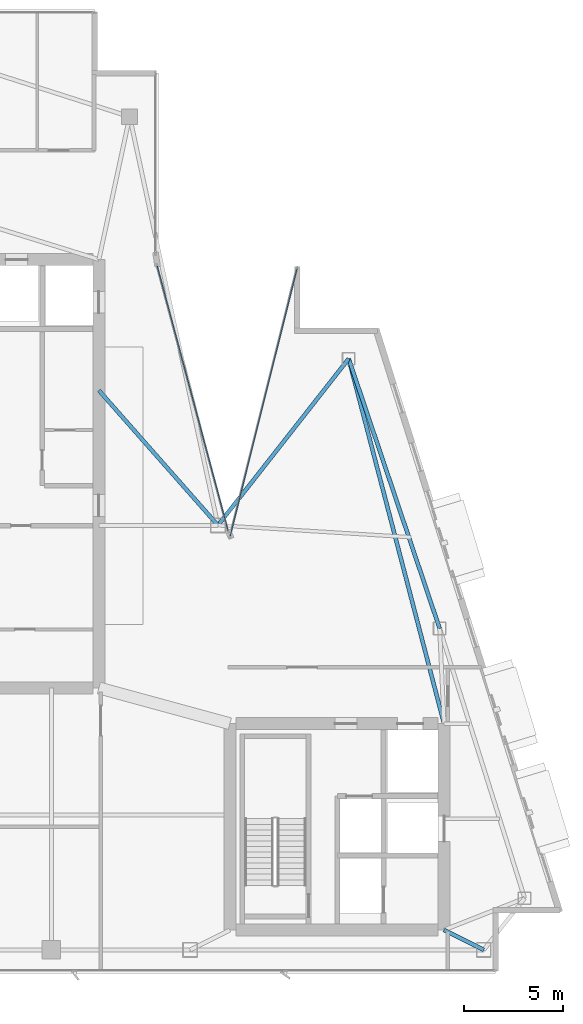
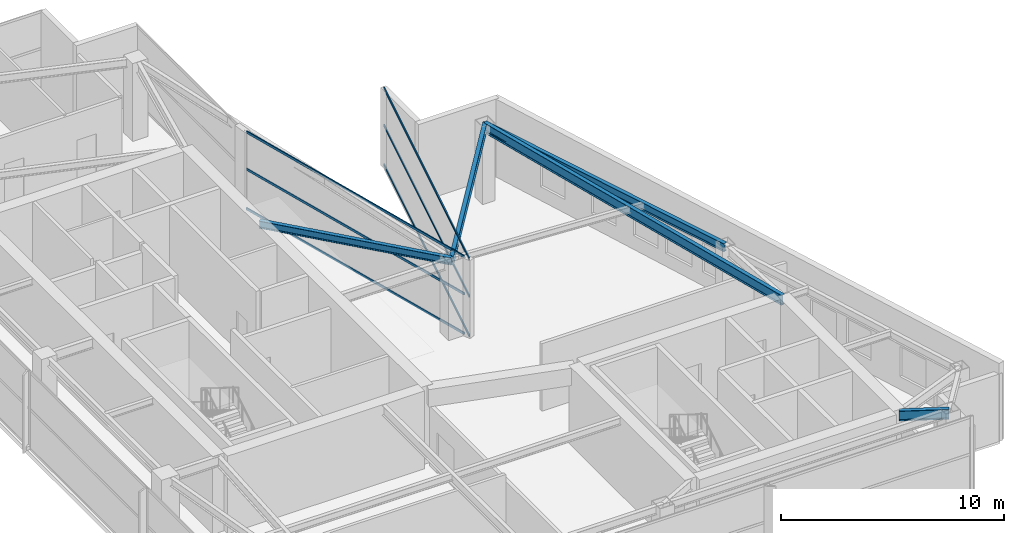
# One storey, part 11 of 25: 6 members, 5 beams, 2 elements without a shape of their own.
"""IFC4 building model written with IfcOpenShell, lengths in metres."""

from ifc_helpers import new_model, si_unit, direction, frame, origin, origin_2d, place, context, subcontext, project, spatial, hollow_rectangle, i_section, extrude, material, layer, layer_set, material_profile, profile_set, type_object, element, aggregate, save


model = new_model("IFC4")

# Units and contexts
model_context = context("Model", 3, precision=1e-05, world=origin(), true_north=direction((0.0, 1.0)))
body_context = subcontext(model_context, "Body", "Model", "MODEL_VIEW")
ifc_project = project(units=[si_unit("LENGTHUNIT", "METRE"), si_unit("AREAUNIT", "SQUARE_METRE"), si_unit("VOLUMEUNIT", "CUBIC_METRE"), si_unit("PLANEANGLEUNIT", "RADIAN"), si_unit("MASSUNIT", "GRAM", prefix="KILO")], contexts=[model_context])

# Site, building, storey
site_placement = place(None, origin())
site = spatial("IfcSite", under=ifc_project, at=site_placement, CompositionType="ELEMENT")
building_placement = place(site_placement, origin())
building = spatial("IfcBuilding", under=site, at=building_placement, Name="Calvorn Quay Hotel", CompositionType="ELEMENT")
storey_placement = place(building_placement, frame((0.0, 0.0, 311.5)))
storey = spatial("IfcBuildingStorey", under=building, at=storey_placement, Name="L77", CompositionType="ELEMENT", Elevation=311.5)

# Beams
ifc_material_1 = material(Name="Steel Q355B", Category="steel")
ifc_material_profile_1 = material_profile(ifc_material_1, i_section(OverallWidth=0.199951171875, OverallDepth=0.550048828125, WebThickness=0.010009765625, FlangeThickness=0.01611328125, FilletRadius=0.01806640625, at=origin_2d()), Name="HN550x200x10x16")
ifc_profile_set_1 = profile_set([ifc_material_profile_1], Name="Steel Q355B")
beam_type_1 = type_object("IfcBeamType", Name="BM-GIRD-UPP", PredefinedType="BEAM", material=ifc_profile_set_1)
beam_1_placement = place(storey_placement, frame((34.39990234375, 3.60009765625, 3.965087890625), z_axis=(-0.894427191, 0.4472135955, 0.0), x_axis=(-0.4472135955, -0.894427191, 0.0)))
element("IfcBeam", 1, at=beam_1_placement, inside=storey, type_object=beam_type_1, Name="Beam BG-L77-S3", PredefinedType="BEAM", context=body_context, shape_type="SweptSolid", body=[
    extrude(i_section(OverallWidth=0.199951171875, OverallDepth=0.550048828125, WebThickness=0.010009765625, FlangeThickness=0.01611328125, FilletRadius=0.01806640625, at=origin_2d()), origin(), (0.0, 0.0, 1.0), 2.236083984375),
])
beam_2_placement = place(storey_placement, frame((32.39990234375, 15.0, 3.965087890625), z_axis=(-0.252858229408, 0.967503341504, 0.0), x_axis=(-0.967503341504, -0.252858229408, 0.0)))
element("IfcBeam", 2, at=beam_2_placement, inside=storey, type_object=beam_type_1, Name="Beam BG-L77-E3", PredefinedType="BEAM", context=body_context, shape_type="SweptSolid", body=[
    extrude(i_section(OverallWidth=0.199951171875, OverallDepth=0.550048828125, WebThickness=0.010009765625, FlangeThickness=0.01611328125, FilletRadius=0.01806640625, at=origin_2d()), origin(), (0.0, 0.0, 1.0), 19.017822265625),
])
ifc_material_2 = material(Name="Steel Q355B", Category="steel")
ifc_material_profile_2 = material_profile(ifc_material_2, i_section(OverallWidth=0.199951171875, OverallDepth=0.39990234375, WebThickness=0.008056640625, FlangeThickness=0.012939453125, FilletRadius=0.01611328125, at=origin_2d()), Name="HN400x200x8x13")
ifc_profile_set_2 = profile_set([ifc_material_profile_2], Name="Steel Q355B")
beam_type_2 = type_object("IfcBeamType", Name="BM-JOIST-TYP", PredefinedType="JOIST", material=ifc_profile_set_2)
beam_3_placement = place(storey_placement, frame((15.0, 31.800048828125, 4.0400390625), z_axis=(0.661618965899, -0.749840212287, 0.0), x_axis=(0.749840212287, 0.661618965899, 0.0)))
element("IfcBeam", 3, at=beam_3_placement, inside=storey, type_object=beam_type_2, Name="Beam BJ-L77-C1", PredefinedType="JOIST", context=body_context, shape_type="SweptSolid", body=[
    extrude(i_section(OverallWidth=0.199951171875, OverallDepth=0.39990234375, WebThickness=0.008056640625, FlangeThickness=0.012939453125, FilletRadius=0.01611328125, at=origin_2d()), origin(), (0.0, 0.0, 1.0), 9.068603515625),
])
ifc_material_3 = material(Name="Steel Q355B", Category="steel")
ifc_material_profile_3 = material_profile(ifc_material_3, i_section(OverallWidth=0.199951171875, OverallDepth=0.449951171875, WebThickness=0.009033203125, FlangeThickness=0.013916015625, FilletRadius=0.01611328125, at=origin_2d()), Name="HN450x200x9x14")
ifc_profile_set_3 = profile_set([ifc_material_profile_3], Name="Steel Q355B")
beam_type_3 = type_object("IfcBeamType", Name="BM-SPANDREL-Z3", PredefinedType="SPANDREL", material=ifc_profile_set_3)
beam_4_placement = place(storey_placement, frame((32.176025390625, 19.800048828125, 4.014892578125), z_axis=(-0.319466515944, 0.947597564998, 0.0), x_axis=(-0.947597564998, -0.319466515944, 0.0)))
element("IfcBeam", 4, at=beam_4_placement, inside=storey, type_object=beam_type_3, Name="Beam BSP-L77-E2", PredefinedType="SPANDREL", context=body_context, shape_type="SweptSolid", body=[
    extrude(i_section(OverallWidth=0.199951171875, OverallDepth=0.449951171875, WebThickness=0.009033203125, FlangeThickness=0.013916015625, FilletRadius=0.01611328125, at=origin_2d()), origin(), (0.0, 0.0, 1.0), 14.35205078125),
])
beam_5_placement = place(storey_placement, frame((27.591064453125, 33.39990234375, 4.014892578125), z_axis=(-0.617308418305, -0.78672124459, 0.0), x_axis=(0.78672124459, -0.617308418305, 0.0)))
element("IfcBeam", 5, at=beam_5_placement, inside=storey, type_object=beam_type_3, Name="Beam BSP-L77-E3", PredefinedType="SPANDREL", context=body_context, shape_type="SweptSolid", body=[
    extrude(i_section(OverallWidth=0.199951171875, OverallDepth=0.449951171875, WebThickness=0.009033203125, FlangeThickness=0.013916015625, FilletRadius=0.01611328125, at=origin_2d()), origin(), (0.0, 0.0, 1.0), 10.677001953125),
])

# Curtain wall, members
ifc_material_4 = material(Name="Champagne Bronze Anodised Aluminium and Low-E Glass", Category="aluminium")
ifc_layer = layer(ifc_material_4, 0.219970703125)
ifc_layer_set = layer_set([ifc_layer], Name="CW-SYS-Z4")
curtain_wall_type = type_object("IfcCurtainWallType", Name="CW-SYS-Z4", PredefinedType="NOTDEFINED", material=ifc_layer_set)
curtain_wall_1_placement = place(storey_placement, origin())
curtain_wall_1 = element("IfcCurtainWall", 6, at=curtain_wall_1_placement, inside=storey, type_object=curtain_wall_type, Name="Inner Court Curtain Wall L77-NE1", PredefinedType="NOTDEFINED")
ifc_material_5 = material(Name="Champagne Bronze Anodised Aluminium 6063-T6", Category="aluminium")
ifc_material_profile_4 = material_profile(ifc_material_5, hollow_rectangle(XDim=0.054931640625, YDim=0.1298828125, WallThickness=0.003173828125, at=origin_2d()), Name="ALU-T130x55x3.2")
ifc_profile_set_4 = profile_set([ifc_material_profile_4], Name="Champagne Bronze Anodised Aluminium 6063-T6")
member_type = type_object("IfcMemberType", Name="CW-SYS-Z4-TRN", PredefinedType="USERDEFINED", material=ifc_profile_set_4)
member_1_placement = place(storey_placement, frame((24.9853515625, 37.94189453125, 0.030029296875), z_axis=(-0.242531491896, -0.970143533421, 0.0), x_axis=(0.970143533421, -0.242531491896, 0.0)))
member_1 = element("IfcMember", 7, at=member_1_placement, type_object=member_type, Name="CW-L77-NE1 transom 1.1", ObjectType="TRANSOM", PredefinedType="USERDEFINED", context=body_context, shape_type="SweptSolid", body=[
    extrude(hollow_rectangle(XDim=0.054931640625, YDim=0.1298828125, WallThickness=0.003173828125, at=origin_2d()), origin(), (0.0, 0.0, 1.0), 13.898681640625),
])
member_2_placement = place(storey_placement, frame((24.9853515625, 37.94189453125, 2.199951171875), z_axis=(-0.242531491896, -0.970143533421, 0.0), x_axis=(0.970143533421, -0.242531491896, 0.0)))
member_2 = element("IfcMember", 8, at=member_2_placement, type_object=member_type, Name="CW-L77-NE1 transom 1.2", ObjectType="TRANSOM", PredefinedType="USERDEFINED", context=body_context, shape_type="SweptSolid", body=[
    extrude(hollow_rectangle(XDim=0.054931640625, YDim=0.1298828125, WallThickness=0.003173828125, at=origin_2d()), origin(), (0.0, 0.0, 1.0), 13.898681640625),
])
member_3_placement = place(storey_placement, frame((24.9853515625, 37.94189453125, 4.22998046875), z_axis=(-0.242531491896, -0.970143533421, 0.0), x_axis=(0.970143533421, -0.242531491896, 0.0)))
member_3 = element("IfcMember", 9, at=member_3_placement, type_object=member_type, Name="CW-L77-NE1 transom 1.3", ObjectType="TRANSOM", PredefinedType="USERDEFINED", context=body_context, shape_type="SweptSolid", body=[
    extrude(hollow_rectangle(XDim=0.054931640625, YDim=0.1298828125, WallThickness=0.003173828125, at=origin_2d()), origin(), (0.0, 0.0, 1.0), 13.898681640625),
])
aggregate(curtain_wall_1, [member_1, member_2, member_3])

curtain_wall_2_placement = place(storey_placement, origin())
curtain_wall_2 = element("IfcCurtainWall", 10, at=curtain_wall_2_placement, inside=storey, type_object=curtain_wall_type, Name="Inner Court Curtain Wall L77-IC1", PredefinedType="NOTDEFINED")
member_4_placement = place(storey_placement, frame((21.512451171875, 24.72802734375, 0.030029296875), z_axis=(-0.258781136883, 0.965935982969, 0.0), x_axis=(-0.965935982969, -0.258781136883, 0.0)))
member_4 = element("IfcMember", 11, at=member_4_placement, type_object=member_type, Name="CW-L77-IC1 transom 1.1", ObjectType="TRANSOM", PredefinedType="USERDEFINED", context=body_context, shape_type="SweptSolid", body=[
    extrude(hollow_rectangle(XDim=0.054931640625, YDim=0.1298828125, WallThickness=0.003173828125, at=origin_2d()), origin(), (0.0, 0.0, 1.0), 13.814453125),
])
member_5_placement = place(storey_placement, frame((21.512451171875, 24.72802734375, 2.199951171875), z_axis=(-0.258781136883, 0.965935982969, 0.0), x_axis=(-0.965935982969, -0.258781136883, 0.0)))
member_5 = element("IfcMember", 12, at=member_5_placement, type_object=member_type, Name="CW-L77-IC1 transom 1.2", ObjectType="TRANSOM", PredefinedType="USERDEFINED", context=body_context, shape_type="SweptSolid", body=[
    extrude(hollow_rectangle(XDim=0.054931640625, YDim=0.1298828125, WallThickness=0.003173828125, at=origin_2d()), origin(), (0.0, 0.0, 1.0), 13.814453125),
])
member_6_placement = place(storey_placement, frame((21.512451171875, 24.72802734375, 4.22998046875), z_axis=(-0.258781136883, 0.965935982969, 0.0), x_axis=(-0.965935982969, -0.258781136883, 0.0)))
member_6 = element("IfcMember", 13, at=member_6_placement, type_object=member_type, Name="CW-L77-IC1 transom 1.3", ObjectType="TRANSOM", PredefinedType="USERDEFINED", context=body_context, shape_type="SweptSolid", body=[
    extrude(hollow_rectangle(XDim=0.054931640625, YDim=0.1298828125, WallThickness=0.003173828125, at=origin_2d()), origin(), (0.0, 0.0, 1.0), 13.814453125),
])
aggregate(curtain_wall_2, [member_4, member_5, member_6])

save(model, "model.ifc")
